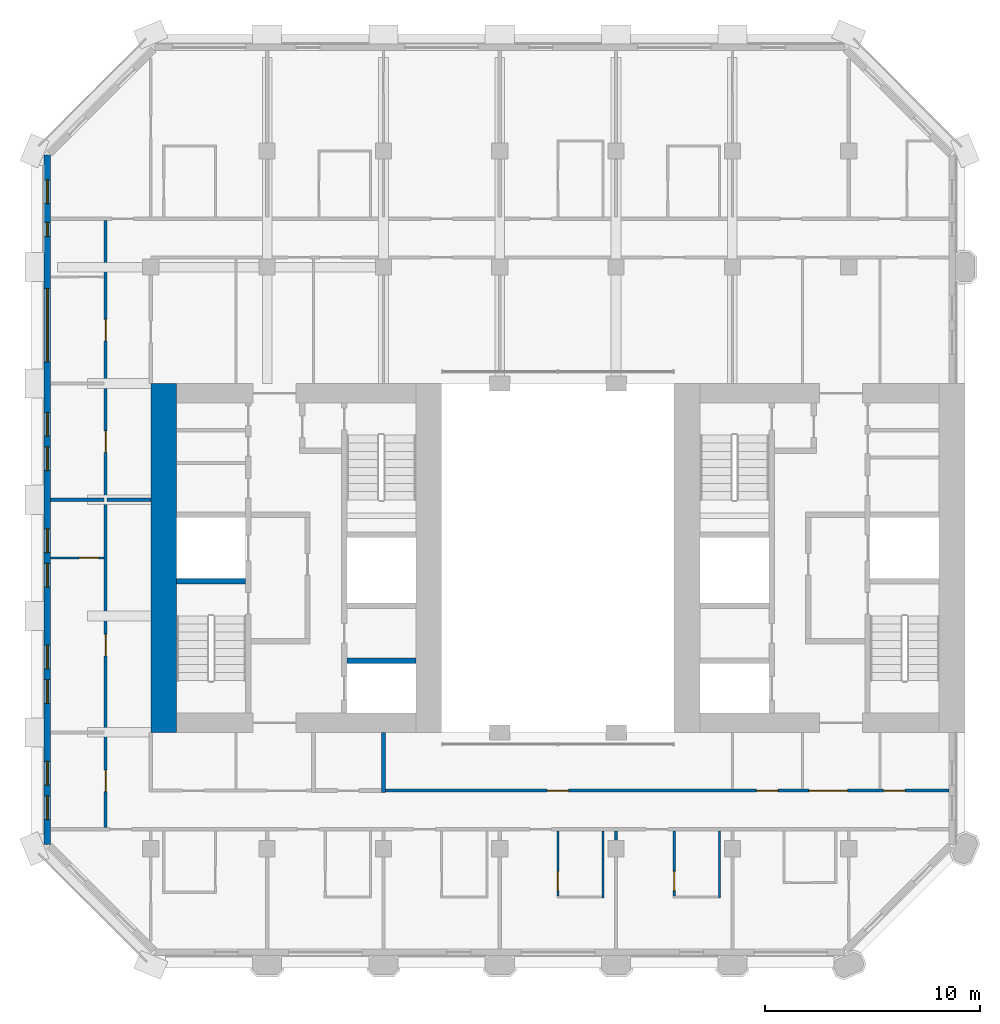
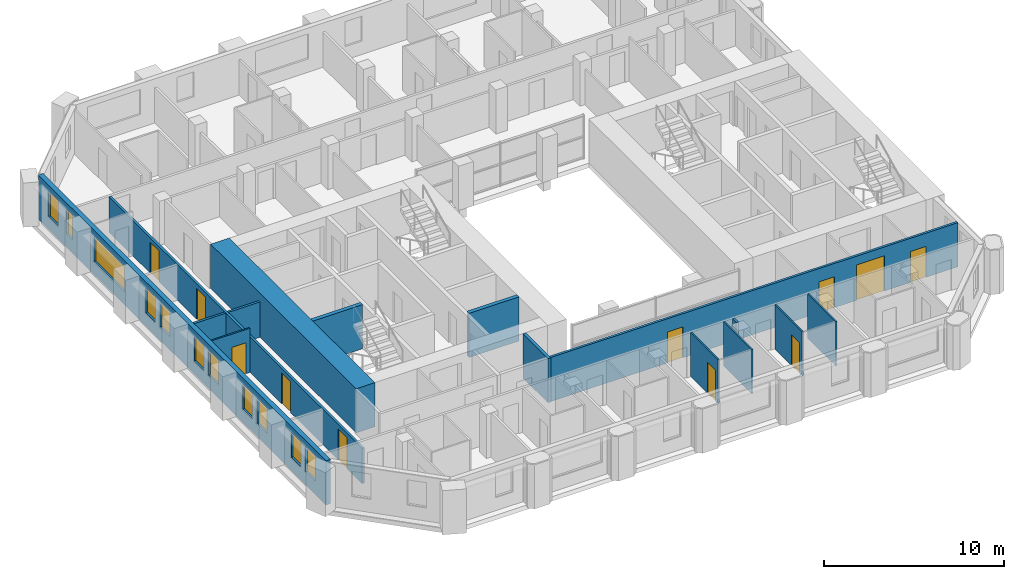
# One storey, part 7 of 13: 15 walls, 11 doors, 11 windows, 22 openings.
"""IFC4 building model written with IfcOpenShell, lengths in metres."""

from ifc_helpers import new_model, si_unit, direction, frame, frame_2d, origin, place, context, subcontext, project, spatial, rectangle, extrude, material, layer, layer_set, type_object, element, fill, save


model = new_model("IFC4")

# Units and contexts
model_context = context("Model", 3, precision=1e-05, world=origin(), true_north=direction((0.0, 1.0)))
body_context = subcontext(model_context, "Body", "Model", "MODEL_VIEW")
ifc_project = project(units=[si_unit("LENGTHUNIT", "METRE"), si_unit("AREAUNIT", "SQUARE_METRE"), si_unit("VOLUMEUNIT", "CUBIC_METRE"), si_unit("PLANEANGLEUNIT", "RADIAN"), si_unit("MASSUNIT", "GRAM", prefix="KILO")], contexts=[model_context])

# Site, building, storey
site_placement = place(None, origin())
site = spatial("IfcSite", under=ifc_project, at=site_placement, CompositionType="ELEMENT")
building_placement = place(site_placement, origin())
building = spatial("IfcBuilding", under=site, at=building_placement, Name="Tabaq Tower and Sports Hall", CompositionType="ELEMENT")
storey_placement = place(building_placement, frame((0.0, 0.0, 210.39990234375)))
storey = spatial("IfcBuildingStorey", under=building, at=storey_placement, Name="L52", CompositionType="ELEMENT", Elevation=210.39990234375)

# Walls
ifc_material_1 = material(Name="Concrete C50/60", Category="concrete")
ifc_layer_1 = layer(ifc_material_1, 1.199951171875)
ifc_layer_set_1 = layer_set([ifc_layer_1], Name="Core wall 1200 Concrete C50/60")
wall_type_1 = type_object("IfcWallType", Name="Core wall 1200 Concrete C50/60", PredefinedType="SOLIDWALL", material=ifc_layer_set_1)
wall_1_placement = place(storey_placement, frame((6.0, 16.199951171875, 0.0), z_axis=(0.0, 0.0, 1.0), x_axis=(0.0, 1.0, 0.0)))
element("IfcWall", 1, at=wall_1_placement, inside=storey, type_object=wall_type_1, Name="Core wall W L52", PredefinedType="SOLIDWALL", context=body_context, shape_type="SweptSolid", body=[
    extrude(rectangle(XDim=16.199951171875, YDim=1.199951171875, at=frame_2d((8.10009765625, 0.0))), origin(), (0.0, 0.0, 1.0), 3.0),
])
ifc_material_2 = material(Name="Blockwork", Category="masonry")
ifc_layer_2 = layer(ifc_material_2, 0.199951171875)
ifc_layer_set_2 = layer_set([ifc_layer_2], Name="Fire compartment wall 200 Blockwork")
wall_type_2 = type_object("IfcWallType", Name="Fire compartment wall 200 Blockwork", PredefinedType="PARTITIONING", material=ifc_layer_set_2)
wall_2_placement = place(storey_placement, frame((16.199951171875, 16.199951171875, 0.0), z_axis=(0.0, 0.0, 1.0), x_axis=(0.0, -1.0, 0.0)))
element("IfcWall", 2, at=wall_2_placement, inside=storey, type_object=wall_type_2, Name="Compartment wall L52", PredefinedType="PARTITIONING", context=body_context, shape_type="SweptSolid", body=[
    extrude(rectangle(XDim=2.800048828125, YDim=0.199951171875, at=frame_2d((1.39990234375, 0.0))), origin(), (0.0, 0.0, 1.0), 3.0),
])
ifc_material_3 = material(Name="Gypsum board on steel studs", Category="steel")
ifc_layer_3 = layer(ifc_material_3, 0.10009765625)
ifc_layer_set_3 = layer_set([ifc_layer_3], Name="Partition 100 Gypsum board")
wall_type_3 = type_object("IfcWallType", Name="Partition 100 Gypsum board", PredefinedType="PARTITIONING", material=ifc_layer_set_3)
wall_3_placement = place(storey_placement, frame((31.800048828125, 11.625, 0.0), z_axis=(0.0, 0.0, 1.0), x_axis=(0.0, -1.0, 0.0)))
element("IfcWall", 3, at=wall_3_placement, inside=storey, type_object=wall_type_3, Name="Partition wall L52", PredefinedType="PARTITIONING", context=body_context, shape_type="SweptSolid", body=[
    extrude(rectangle(XDim=3.125, YDim=0.10009765625, at=frame_2d((1.5625, 0.0))), origin(), (0.0, 0.0, 1.0), 3.0),
])

# Wall, opening, door
wall_4_placement = place(storey_placement, frame((29.699951171875, 8.60009765625, 0.0), z_axis=(0.0, 0.0, 1.0), x_axis=(0.0, 1.0, 0.0)))
wall_4 = element("IfcWall", 4, at=wall_4_placement, inside=storey, type_object=wall_type_3, Name="Partition wall L52", PredefinedType="PARTITIONING", context=body_context, shape_type="SweptSolid", body=[
    extrude(rectangle(XDim=3.02490234375, YDim=0.10009765625, at=frame_2d((1.512451171875, 0.0))), origin(), (0.0, 0.0, 1.0), 3.0),
])
opening_1_placement = place(wall_4_placement, frame((0.25, 0.0, 0.0)))
opening_1 = element("IfcOpeningElement", 5, at=opening_1_placement, cuts=wall_4, Name="Opening L52-016", PredefinedType="OPENING", context=body_context, shape_type="SweptSolid", body=[
    extrude(rectangle(XDim=0.89990234375, YDim=2.10009765625, at=frame_2d((0.449951171875, 1.050048828125))), frame((0.0, 0.050048828125, 0.0), z_axis=(0.0, -1.0, 0.0), x_axis=(1.0, 0.0, 0.0)), (0.0, 0.0, 1.0), 0.10009765625),
])
ifc_material_4 = material(Name="Timber leaf in steel frame", Category="steel")
door_type_1 = type_object("IfcDoorType", Name="Internal door 900 left hand", OperationType="SINGLE_SWING_LEFT", PredefinedType="DOOR", material=ifc_material_4)
door_1_placement = place(opening_1_placement, origin())
door_1 = element("IfcDoor", 6, at=door_1_placement, inside=storey, type_object=door_type_1, Name="Internal door L52-016", OperationType="SINGLE_SWING_LEFT", OverallHeight=2.10009765625, OverallWidth=0.89990234375, PredefinedType="DOOR", context=body_context, shape_type="SweptSolid", body=[
    extrude(rectangle(XDim=0.89990234375, YDim=2.10009765625, at=frame_2d((0.449951171875, 1.050048828125))), frame((0.0, 0.02490234375, 0.0), z_axis=(0.0, -1.0, 0.0), x_axis=(1.0, 0.0, 0.0)), (0.0, 0.0, 1.0), 0.050048828125),
])
fill(opening_1, door_1)

# Wall
wall_5_placement = place(storey_placement, frame((26.39990234375, 11.625, 0.0), z_axis=(0.0, 0.0, 1.0), x_axis=(0.0, -1.0, 0.0)))
element("IfcWall", 7, at=wall_5_placement, inside=storey, type_object=wall_type_3, Name="Partition wall L52", PredefinedType="PARTITIONING", context=body_context, shape_type="SweptSolid", body=[
    extrude(rectangle(XDim=3.125, YDim=0.10009765625, at=frame_2d((1.5625, 0.0))), origin(), (0.0, 0.0, 1.0), 3.0),
])

# Wall, opening, door
wall_6_placement = place(storey_placement, frame((24.300048828125, 8.60009765625, 0.0), z_axis=(0.0, 0.0, 1.0), x_axis=(0.0, 1.0, 0.0)))
wall_6 = element("IfcWall", 8, at=wall_6_placement, inside=storey, type_object=wall_type_3, Name="Partition wall L52", PredefinedType="PARTITIONING", context=body_context, shape_type="SweptSolid", body=[
    extrude(rectangle(XDim=3.02490234375, YDim=0.10009765625, at=frame_2d((1.512451171875, 0.0))), origin(), (0.0, 0.0, 1.0), 3.0),
])
opening_2_placement = place(wall_6_placement, frame((0.25, 0.0, 0.0)))
opening_2 = element("IfcOpeningElement", 9, at=opening_2_placement, cuts=wall_6, Name="Opening L52-017", PredefinedType="OPENING", context=body_context, shape_type="SweptSolid", body=[
    extrude(rectangle(XDim=0.89990234375, YDim=2.10009765625, at=frame_2d((0.449951171875, 1.050048828125))), frame((0.0, 0.050048828125, 0.0), z_axis=(0.0, -1.0, 0.0), x_axis=(1.0, 0.0, 0.0)), (0.0, 0.0, 1.0), 0.10009765625),
])
ifc_material_5 = material(Name="Timber leaf in steel frame", Category="steel")
door_type_2 = type_object("IfcDoorType", Name="Internal door 900 right hand", OperationType="SINGLE_SWING_RIGHT", PredefinedType="DOOR", material=ifc_material_5)
door_2_placement = place(opening_2_placement, origin())
door_2 = element("IfcDoor", 10, at=door_2_placement, inside=storey, type_object=door_type_2, Name="Internal door L52-017", OperationType="SINGLE_SWING_RIGHT", OverallHeight=2.10009765625, OverallWidth=0.89990234375, PredefinedType="DOOR", context=body_context, shape_type="SweptSolid", body=[
    extrude(rectangle(XDim=0.89990234375, YDim=2.10009765625, at=frame_2d((0.449951171875, 1.050048828125))), frame((0.0, 0.02490234375, 0.0), z_axis=(0.0, -1.0, 0.0), x_axis=(1.0, 0.0, 0.0)), (0.0, 0.0, 1.0), 0.050048828125),
])
fill(opening_2, door_2)

wall_7_placement = place(storey_placement, frame((3.22509765625, 24.300048828125, 0.0), z_axis=(0.0, 0.0, 1.0), x_axis=(-1.0, 0.0, 0.0)))
wall_7 = element("IfcWall", 11, at=wall_7_placement, inside=storey, type_object=wall_type_3, Name="Partition wall L52", PredefinedType="PARTITIONING", context=body_context, shape_type="SweptSolid", body=[
    extrude(rectangle(XDim=2.47412109375, YDim=0.10009765625, at=frame_2d((1.237060546875, 0.0))), origin(), (0.0, 0.0, 1.0), 3.0),
])
opening_3_placement = place(wall_7_placement, frame((0.25, 0.0, 0.0)))
opening_3 = element("IfcOpeningElement", 12, at=opening_3_placement, cuts=wall_7, Name="Opening L52-022", PredefinedType="OPENING", context=body_context, shape_type="SweptSolid", body=[
    extrude(rectangle(XDim=0.89990234375, YDim=2.10009765625, at=frame_2d((0.449951171875, 1.050048828125))), frame((0.0, 0.050048828125, 0.0), z_axis=(0.0, -1.0, 0.0), x_axis=(1.0, 0.0, 0.0)), (0.0, 0.0, 1.0), 0.10009765625),
])
door_3_placement = place(opening_3_placement, origin())
door_3 = element("IfcDoor", 13, at=door_3_placement, inside=storey, type_object=door_type_2, Name="Internal door L52-022", OperationType="SINGLE_SWING_RIGHT", OverallHeight=2.10009765625, OverallWidth=0.89990234375, PredefinedType="DOOR", context=body_context, shape_type="SweptSolid", body=[
    extrude(rectangle(XDim=0.89990234375, YDim=2.10009765625, at=frame_2d((0.449951171875, 1.050048828125))), frame((0.0, 0.02490234375, 0.0), z_axis=(0.0, -1.0, 0.0), x_axis=(1.0, 0.0, 0.0)), (0.0, 0.0, 1.0), 0.050048828125),
])
fill(opening_3, door_3)

# Walls
ifc_material_6 = material(Name="Blockwork", Category="masonry")
ifc_layer_4 = layer(ifc_material_6, 0.14990234375)
ifc_layer_set_4 = layer_set([ifc_layer_4], Name="Separating wall 150 Blockwork")
wall_type_4 = type_object("IfcWallType", Name="Separating wall 150 Blockwork", PredefinedType="PARTITIONING", material=ifc_layer_set_4)
wall_8_placement = place(storey_placement, frame((0.7509765625, 27.0, 0.0), z_axis=(0.0, 0.0, 1.0), x_axis=(1.0, 0.0, 0.0)))
element("IfcWall", 14, at=wall_8_placement, inside=storey, type_object=wall_type_4, Name="Separating wall L52", PredefinedType="PARTITIONING", context=body_context, shape_type="SweptSolid", body=[
    extrude(rectangle(XDim=2.47412109375, YDim=0.14990234375, at=frame_2d((1.237060546875, 0.0))), origin(), (0.0, 0.0, 1.0), 2.400146484375),
])
wall_9_placement = place(storey_placement, frame((3.375, 27.0, 0.0), z_axis=(0.0, 0.0, 1.0), x_axis=(1.0, 0.0, 0.0)))
element("IfcWall", 15, at=wall_9_placement, inside=storey, type_object=wall_type_4, Name="Separating wall L52", PredefinedType="PARTITIONING", context=body_context, shape_type="SweptSolid", body=[
    extrude(rectangle(XDim=2.02490234375, YDim=0.14990234375, at=frame_2d((1.012451171875, 0.0))), origin(), (0.0, 0.0, 1.0), 2.400146484375),
])
wall_10_placement = place(storey_placement, frame((27.0, 11.625, 0.0), z_axis=(0.0, 0.0, 1.0), x_axis=(0.0, -1.0, 0.0)))
element("IfcWall", 16, at=wall_10_placement, inside=storey, type_object=wall_type_4, Name="Separating wall L52", PredefinedType="PARTITIONING", context=body_context, shape_type="SweptSolid", body=[
    extrude(rectangle(XDim=0.429931640625, YDim=0.14990234375, at=frame_2d((0.21484375, 0.0))), origin(), (0.0, 0.0, 1.0), 3.0),
])

# Wall, openings, doors
wall_11_placement = place(storey_placement, frame((3.300048828125, 11.77490234375, 0.0), z_axis=(0.0, 0.0, 1.0), x_axis=(0.0, 1.0, 0.0)))
wall_11 = element("IfcWall", 17, at=wall_11_placement, inside=storey, type_object=wall_type_4, Name="Separating wall L52", PredefinedType="PARTITIONING", context=body_context, shape_type="SweptSolid", body=[
    extrude(rectangle(XDim=28.2001953125, YDim=0.14990234375, at=frame_2d((14.10009765625, 0.0))), origin(), (0.0, 0.0, 1.0), 2.400146484375),
])
opening_4_placement = place(wall_11_placement, frame((17.425048828125, 0.0, 0.0)))
opening_4 = element("IfcOpeningElement", 18, at=opening_4_placement, cuts=wall_11, Name="Opening L52-009", PredefinedType="OPENING", context=body_context, shape_type="SweptSolid", body=[
    extrude(rectangle(XDim=1.0, YDim=2.10009765625, at=frame_2d((0.5, 1.050048828125))), frame((0.0, 0.074951171875, 0.0), z_axis=(0.0, -1.0, 0.0), x_axis=(1.0, 0.0, 0.0)), (0.0, 0.0, 1.0), 0.14990234375),
])
opening_5_placement = place(wall_11_placement, frame((1.675048828125, 0.0, 0.0)))
opening_5 = element("IfcOpeningElement", 19, at=opening_5_placement, cuts=wall_11, Name="Opening L52-014", PredefinedType="OPENING", context=body_context, shape_type="SweptSolid", body=[
    extrude(rectangle(XDim=1.0, YDim=2.10009765625, at=frame_2d((0.5, 1.050048828125))), frame((0.0, 0.074951171875, 0.0), z_axis=(0.0, -1.0, 0.0), x_axis=(1.0, 0.0, 0.0)), (0.0, 0.0, 1.0), 0.14990234375),
])
opening_6_placement = place(wall_11_placement, frame((22.60009765625, 0.0, 0.0)))
opening_6 = element("IfcOpeningElement", 20, at=opening_6_placement, cuts=wall_11, Name="Opening L52-027", PredefinedType="OPENING", context=body_context, shape_type="SweptSolid", body=[
    extrude(rectangle(XDim=1.0, YDim=2.10009765625, at=frame_2d((0.5, 1.050048828125))), frame((0.0, 0.074951171875, 0.0), z_axis=(0.0, -1.0, 0.0), x_axis=(1.0, 0.0, 0.0)), (0.0, 0.0, 1.0), 0.14990234375),
])
opening_7_placement = place(wall_11_placement, frame((7.97509765625, 0.0, 0.0)))
opening_7 = element("IfcOpeningElement", 21, at=opening_7_placement, cuts=wall_11, Name="Opening L52-046", PredefinedType="OPENING", context=body_context, shape_type="SweptSolid", body=[
    extrude(rectangle(XDim=1.0, YDim=2.10009765625, at=frame_2d((0.5, 1.050048828125))), frame((0.0, 0.074951171875, 0.0), z_axis=(0.0, -1.0, 0.0), x_axis=(1.0, 0.0, 0.0)), (0.0, 0.0, 1.0), 0.14990234375),
])
ifc_material_7 = material(Name="Steel fire door", Category="steel")
door_type_3 = type_object("IfcDoorType", Name="Entrance door 1000 right hand", OperationType="SINGLE_SWING_RIGHT", PredefinedType="DOOR", material=ifc_material_7)
door_4_placement = place(opening_6_placement, origin())
door_4 = element("IfcDoor", 22, at=door_4_placement, inside=storey, type_object=door_type_3, Name="Entrance door L52-027", OperationType="SINGLE_SWING_RIGHT", OverallHeight=2.10009765625, OverallWidth=1.0, PredefinedType="DOOR", context=body_context, shape_type="SweptSolid", body=[
    extrude(rectangle(XDim=1.0, YDim=2.10009765625, at=frame_2d((0.5, 1.050048828125))), frame((0.0, 0.02490234375, 0.0), z_axis=(0.0, -1.0, 0.0), x_axis=(1.0, 0.0, 0.0)), (0.0, 0.0, 1.0), 0.050048828125),
])
fill(opening_6, door_4)
door_5_placement = place(opening_7_placement, origin())
door_5 = element("IfcDoor", 23, at=door_5_placement, inside=storey, type_object=door_type_3, Name="Entrance door L52-046", OperationType="SINGLE_SWING_RIGHT", OverallHeight=2.10009765625, OverallWidth=1.0, PredefinedType="DOOR", context=body_context, shape_type="SweptSolid", body=[
    extrude(rectangle(XDim=1.0, YDim=2.10009765625, at=frame_2d((0.5, 1.050048828125))), frame((0.0, 0.02490234375, 0.0), z_axis=(0.0, -1.0, 0.0), x_axis=(1.0, 0.0, 0.0)), (0.0, 0.0, 1.0), 0.050048828125),
])
fill(opening_7, door_5)
ifc_material_8 = material(Name="Timber leaf in steel frame", Category="steel")
door_type_4 = type_object("IfcDoorType", Name="Internal door 1000 left hand", OperationType="SINGLE_SWING_LEFT", PredefinedType="DOOR", material=ifc_material_8)
door_6_placement = place(opening_5_placement, origin())
door_6 = element("IfcDoor", 24, at=door_6_placement, inside=storey, type_object=door_type_4, Name="Internal door L52-014", OperationType="SINGLE_SWING_LEFT", OverallHeight=2.10009765625, OverallWidth=1.0, PredefinedType="DOOR", context=body_context, shape_type="SweptSolid", body=[
    extrude(rectangle(XDim=1.0, YDim=2.10009765625, at=frame_2d((0.5, 1.050048828125))), frame((0.0, 0.02490234375, 0.0), z_axis=(0.0, -1.0, 0.0), x_axis=(1.0, 0.0, 0.0)), (0.0, 0.0, 1.0), 0.050048828125),
])
fill(opening_5, door_6)
ifc_material_9 = material(Name="Timber leaf in steel frame", Category="steel")
door_type_5 = type_object("IfcDoorType", Name="Internal door 1000 right hand", OperationType="SINGLE_SWING_RIGHT", PredefinedType="DOOR", material=ifc_material_9)
door_7_placement = place(opening_4_placement, origin())
door_7 = element("IfcDoor", 25, at=door_7_placement, inside=storey, type_object=door_type_5, Name="Internal door L52-009", OperationType="SINGLE_SWING_RIGHT", OverallHeight=2.10009765625, OverallWidth=1.0, PredefinedType="DOOR", context=body_context, shape_type="SweptSolid", body=[
    extrude(rectangle(XDim=1.0, YDim=2.10009765625, at=frame_2d((0.5, 1.050048828125))), frame((0.0, 0.02490234375, 0.0), z_axis=(0.0, -1.0, 0.0), x_axis=(1.0, 0.0, 0.0)), (0.0, 0.0, 1.0), 0.050048828125),
])
fill(opening_4, door_7)

wall_12_placement = place(storey_placement, frame((16.300048828125, 13.5, 0.0), z_axis=(0.0, 0.0, 1.0), x_axis=(1.0, 0.0, 0.0)))
wall_12 = element("IfcWall", 26, at=wall_12_placement, inside=storey, type_object=wall_type_4, Name="Separating wall L52", PredefinedType="PARTITIONING", context=body_context, shape_type="SweptSolid", body=[
    extrude(rectangle(XDim=26.14892578125, YDim=0.14990234375, at=frame_2d((13.074462890625, 0.0))), origin(), (0.0, 0.0, 1.0), 3.0),
])
opening_8_placement = place(wall_12_placement, frame((7.5, 0.0, 0.0)))
opening_8 = element("IfcOpeningElement", 27, at=opening_8_placement, cuts=wall_12, Name="Opening L52-021", PredefinedType="OPENING", context=body_context, shape_type="SweptSolid", body=[
    extrude(rectangle(XDim=1.0, YDim=2.10009765625, at=frame_2d((0.5, 1.050048828125))), frame((0.0, 0.074951171875, 0.0), z_axis=(0.0, -1.0, 0.0), x_axis=(1.0, 0.0, 0.0)), (0.0, 0.0, 1.0), 0.14990234375),
])
opening_9_placement = place(wall_12_placement, frame((23.1201171875, 0.0, 0.0)))
opening_9 = element("IfcOpeningElement", 28, at=opening_9_placement, cuts=wall_12, Name="Opening L52-023", PredefinedType="OPENING", context=body_context, shape_type="SweptSolid", body=[
    extrude(rectangle(XDim=1.0, YDim=2.10009765625, at=frame_2d((0.5, 1.050048828125))), frame((0.0, 0.074951171875, 0.0), z_axis=(0.0, -1.0, 0.0), x_axis=(1.0, 0.0, 0.0)), (0.0, 0.0, 1.0), 0.14990234375),
])
opening_10_placement = place(wall_12_placement, frame((17.22509765625, 0.0, 0.0)))
opening_10 = element("IfcOpeningElement", 29, at=opening_10_placement, cuts=wall_12, Name="Opening L52-026", PredefinedType="OPENING", context=body_context, shape_type="SweptSolid", body=[
    extrude(rectangle(XDim=1.0, YDim=2.10009765625, at=frame_2d((0.5, 1.050048828125))), frame((0.0, 0.074951171875, 0.0), z_axis=(0.0, -1.0, 0.0), x_axis=(1.0, 0.0, 0.0)), (0.0, 0.0, 1.0), 0.14990234375),
])
opening_11_placement = place(wall_12_placement, frame((19.64990234375, 0.0, 0.0)))
opening_11 = element("IfcOpeningElement", 30, at=opening_11_placement, cuts=wall_12, Name="Opening L52-047", PredefinedType="OPENING", context=body_context, shape_type="SweptSolid", body=[
    extrude(rectangle(XDim=1.800048828125, YDim=2.39990234375, at=frame_2d((0.89990234375, 1.199951171875))), frame((0.0, 0.074951171875, 0.0), z_axis=(0.0, -1.0, 0.0), x_axis=(1.0, 0.0, 0.0)), (0.0, 0.0, 1.0), 0.14990234375),
])
door_8_placement = place(opening_9_placement, origin())
door_8 = element("IfcDoor", 31, at=door_8_placement, inside=storey, type_object=door_type_4, Name="Internal door L52-023", OperationType="SINGLE_SWING_LEFT", OverallHeight=2.10009765625, OverallWidth=1.0, PredefinedType="DOOR", context=body_context, shape_type="SweptSolid", body=[
    extrude(rectangle(XDim=1.0, YDim=2.10009765625, at=frame_2d((0.5, 1.050048828125))), frame((0.0, 0.02490234375, 0.0), z_axis=(0.0, -1.0, 0.0), x_axis=(1.0, 0.0, 0.0)), (0.0, 0.0, 1.0), 0.050048828125),
])
fill(opening_9, door_8)
door_9_placement = place(opening_8_placement, origin())
door_9 = element("IfcDoor", 32, at=door_9_placement, inside=storey, type_object=door_type_5, Name="Internal door L52-021", OperationType="SINGLE_SWING_RIGHT", OverallHeight=2.10009765625, OverallWidth=1.0, PredefinedType="DOOR", context=body_context, shape_type="SweptSolid", body=[
    extrude(rectangle(XDim=1.0, YDim=2.10009765625, at=frame_2d((0.5, 1.050048828125))), frame((0.0, 0.02490234375, 0.0), z_axis=(0.0, -1.0, 0.0), x_axis=(1.0, 0.0, 0.0)), (0.0, 0.0, 1.0), 0.050048828125),
])
fill(opening_8, door_9)
door_10_placement = place(opening_10_placement, origin())
door_10 = element("IfcDoor", 33, at=door_10_placement, inside=storey, type_object=door_type_5, Name="Internal door L52-026", OperationType="SINGLE_SWING_RIGHT", OverallHeight=2.10009765625, OverallWidth=1.0, PredefinedType="DOOR", context=body_context, shape_type="SweptSolid", body=[
    extrude(rectangle(XDim=1.0, YDim=2.10009765625, at=frame_2d((0.5, 1.050048828125))), frame((0.0, 0.02490234375, 0.0), z_axis=(0.0, -1.0, 0.0), x_axis=(1.0, 0.0, 0.0)), (0.0, 0.0, 1.0), 0.050048828125),
])
fill(opening_10, door_10)
ifc_material_10 = material(Name="Timber leaf in steel frame", Category="steel")
door_type_6 = type_object("IfcDoorType", Name="Internal door 1800", OperationType="DOUBLE_DOOR_SINGLE_SWING", PredefinedType="DOOR", material=ifc_material_10)
door_11_placement = place(opening_11_placement, origin())
door_11 = element("IfcDoor", 34, at=door_11_placement, inside=storey, type_object=door_type_6, Name="Internal door L52-047", OperationType="DOUBLE_DOOR_SINGLE_SWING", OverallHeight=2.39990234375, OverallWidth=1.800048828125, PredefinedType="DOOR", context=body_context, shape_type="SweptSolid", body=[
    extrude(rectangle(XDim=1.800048828125, YDim=2.39990234375, at=frame_2d((0.89990234375, 1.199951171875))), frame((0.0, 0.02490234375, 0.0), z_axis=(0.0, -1.0, 0.0), x_axis=(1.0, 0.0, 0.0)), (0.0, 0.0, 1.0), 0.050048828125),
])
fill(opening_11, door_11)

# Walls
ifc_material_11 = material(Name="Concrete C40/50", Category="concrete")
ifc_layer_5 = layer(ifc_material_11, 0.25)
ifc_layer_set_5 = layer_set([ifc_layer_5], Name="Shaft and stair wall 250 Concrete C40/50")
wall_type_5 = type_object("IfcWallType", Name="Shaft and stair wall 250 Concrete C40/50", PredefinedType="SOLIDWALL", material=ifc_layer_set_5)
for number, where, z_axis, x_axis, name in (
    (35, (6.60009765625, 23.22509765625, 0.0), (0.0, 0.0, 1.0), (1.0, 0.0, 0.0), "Stair enclosure wall W L52"),
    (36, (14.5, 19.52490234375, 0.0), (0.0, 0.0, 1.0), (1.0, 0.0, 0.0), "Shaft wall W L52"),
):
    element("IfcWall", number, at=place(storey_placement, frame(where, z_axis=z_axis, x_axis=x_axis)), inside=storey, type_object=wall_type_5, Name=name, PredefinedType="SOLIDWALL", context=body_context, shape_type="SweptSolid", body=[
        extrude(rectangle(XDim=3.199951171875, YDim=0.25, at=frame_2d((1.60009765625, 0.0))), origin(), (0.0, 0.0, 1.0), 3.0),
    ])

# Wall, openings, windows
ifc_material_12 = material(Name="White precast concrete C60/75", Category="concrete")
ifc_layer_6 = layer(ifc_material_12, 0.300048828125)
ifc_layer_set_6 = layer_set([ifc_layer_6], Name="White precast concrete C60/75 external wall 300")
wall_type_6 = type_object("IfcWallType", Name="White precast concrete C60/75 external wall 300", PredefinedType="SOLIDWALL", material=ifc_layer_set_6)
wall_13_placement = place(storey_placement, frame((0.60009765625, 43.013671875, 0.0), z_axis=(0.0, 0.0, 1.0), x_axis=(0.0, -1.0, 0.0)))
wall_13 = element("IfcWall", 37, at=wall_13_placement, inside=storey, type_object=wall_type_6, Name="External Wall L52 W", PredefinedType="SOLIDWALL", context=body_context, shape_type="SweptSolid", body=[
    extrude(rectangle(XDim=32.02734375, YDim=0.300048828125, at=frame_2d((16.013671875, 0.0))), origin(), (0.0, 0.0, 1.0), 3.0),
])
opening_12_placement = place(wall_13_placement, frame((1.16357421875, 0.0, 0.89990234375)))
opening_12 = element("IfcOpeningElement", 38, at=opening_12_placement, cuts=wall_13, Name="Opening W1B", PredefinedType="OPENING", context=body_context, shape_type="SweptSolid", body=[
    extrude(rectangle(XDim=1.10009765625, YDim=1.699951171875, at=frame_2d((0.550048828125, 0.85009765625))), frame((0.0, 0.16015625, 0.0), z_axis=(0.0, -1.0, 0.0), x_axis=(1.0, 0.0, 0.0)), (0.0, 0.0, 1.0), 0.320068359375),
])
opening_13_placement = place(wall_13_placement, frame((3.138671875, 0.0, 0.89990234375)))
opening_13 = element("IfcOpeningElement", 39, at=opening_13_placement, cuts=wall_13, Name="Opening W1C", PredefinedType="OPENING", context=body_context, shape_type="SweptSolid", body=[
    extrude(rectangle(XDim=0.64990234375, YDim=1.699951171875, at=frame_2d((0.324951171875, 0.85009765625))), frame((0.0, 0.16015625, 0.0), z_axis=(0.0, -1.0, 0.0), x_axis=(1.0, 0.0, 0.0)), (0.0, 0.0, 1.0), 0.320068359375),
])
opening_14_placement = place(wall_13_placement, frame((6.213623046875, 0.0, 0.89990234375)))
opening_14 = element("IfcOpeningElement", 40, at=opening_14_placement, cuts=wall_13, Name="Opening W1A", PredefinedType="OPENING", context=body_context, shape_type="SweptSolid", body=[
    extrude(rectangle(XDim=3.39990234375, YDim=1.699951171875, at=frame_2d((1.699951171875, 0.85009765625))), frame((0.0, 0.16015625, 0.0), z_axis=(0.0, -1.0, 0.0), x_axis=(1.0, 0.0, 0.0)), (0.0, 0.0, 1.0), 0.320068359375),
])
opening_15_placement = place(wall_13_placement, frame((11.963623046875, 0.0, 0.89990234375)))
opening_15 = element("IfcOpeningElement", 41, at=opening_15_placement, cuts=wall_13, Name="Opening W1B", PredefinedType="OPENING", context=body_context, shape_type="SweptSolid", body=[
    extrude(rectangle(XDim=1.10009765625, YDim=1.699951171875, at=frame_2d((0.550048828125, 0.85009765625))), frame((0.0, 0.16015625, 0.0), z_axis=(0.0, -1.0, 0.0), x_axis=(1.0, 0.0, 0.0)), (0.0, 0.0, 1.0), 0.320068359375),
])
opening_16_placement = place(wall_13_placement, frame((13.563720703125, 0.0, 0.89990234375)))
opening_16 = element("IfcOpeningElement", 42, at=opening_16_placement, cuts=wall_13, Name="Opening W1B", PredefinedType="OPENING", context=body_context, shape_type="SweptSolid", body=[
    extrude(rectangle(XDim=1.10009765625, YDim=1.699951171875, at=frame_2d((0.550048828125, 0.85009765625))), frame((0.0, 0.16015625, 0.0), z_axis=(0.0, -1.0, 0.0), x_axis=(1.0, 0.0, 0.0)), (0.0, 0.0, 1.0), 0.320068359375),
])
opening_17_placement = place(wall_13_placement, frame((17.363525390625, 0.0, 0.89990234375)))
opening_17 = element("IfcOpeningElement", 43, at=opening_17_placement, cuts=wall_13, Name="Opening W1B", PredefinedType="OPENING", context=body_context, shape_type="SweptSolid", body=[
    extrude(rectangle(XDim=1.10009765625, YDim=1.699951171875, at=frame_2d((0.550048828125, 0.85009765625))), frame((0.0, 0.16015625, 0.0), z_axis=(0.0, -1.0, 0.0), x_axis=(1.0, 0.0, 0.0)), (0.0, 0.0, 1.0), 0.320068359375),
])
opening_18_placement = place(wall_13_placement, frame((18.963623046875, 0.0, 0.89990234375)))
opening_18 = element("IfcOpeningElement", 44, at=opening_18_placement, cuts=wall_13, Name="Opening W1B", PredefinedType="OPENING", context=body_context, shape_type="SweptSolid", body=[
    extrude(rectangle(XDim=1.10009765625, YDim=1.699951171875, at=frame_2d((0.550048828125, 0.85009765625))), frame((0.0, 0.16015625, 0.0), z_axis=(0.0, -1.0, 0.0), x_axis=(1.0, 0.0, 0.0)), (0.0, 0.0, 1.0), 0.320068359375),
])
opening_19_placement = place(wall_13_placement, frame((22.763671875, 0.0, 0.89990234375)))
opening_19 = element("IfcOpeningElement", 45, at=opening_19_placement, cuts=wall_13, Name="Opening W1B", PredefinedType="OPENING", context=body_context, shape_type="SweptSolid", body=[
    extrude(rectangle(XDim=1.10009765625, YDim=1.699951171875, at=frame_2d((0.550048828125, 0.85009765625))), frame((0.0, 0.16015625, 0.0), z_axis=(0.0, -1.0, 0.0), x_axis=(1.0, 0.0, 0.0)), (0.0, 0.0, 1.0), 0.320068359375),
])
opening_20_placement = place(wall_13_placement, frame((24.363525390625, 0.0, 0.89990234375)))
opening_20 = element("IfcOpeningElement", 46, at=opening_20_placement, cuts=wall_13, Name="Opening W1B", PredefinedType="OPENING", context=body_context, shape_type="SweptSolid", body=[
    extrude(rectangle(XDim=1.10009765625, YDim=1.699951171875, at=frame_2d((0.550048828125, 0.85009765625))), frame((0.0, 0.16015625, 0.0), z_axis=(0.0, -1.0, 0.0), x_axis=(1.0, 0.0, 0.0)), (0.0, 0.0, 1.0), 0.320068359375),
])
opening_21_placement = place(wall_13_placement, frame((28.16357421875, 0.0, 0.89990234375)))
opening_21 = element("IfcOpeningElement", 47, at=opening_21_placement, cuts=wall_13, Name="Opening W1B", PredefinedType="OPENING", context=body_context, shape_type="SweptSolid", body=[
    extrude(rectangle(XDim=1.10009765625, YDim=1.699951171875, at=frame_2d((0.550048828125, 0.85009765625))), frame((0.0, 0.16015625, 0.0), z_axis=(0.0, -1.0, 0.0), x_axis=(1.0, 0.0, 0.0)), (0.0, 0.0, 1.0), 0.320068359375),
])
opening_22_placement = place(wall_13_placement, frame((29.763671875, 0.0, 0.89990234375)))
opening_22 = element("IfcOpeningElement", 48, at=opening_22_placement, cuts=wall_13, Name="Opening W1B", PredefinedType="OPENING", context=body_context, shape_type="SweptSolid", body=[
    extrude(rectangle(XDim=1.10009765625, YDim=1.699951171875, at=frame_2d((0.550048828125, 0.85009765625))), frame((0.0, 0.16015625, 0.0), z_axis=(0.0, -1.0, 0.0), x_axis=(1.0, 0.0, 0.0)), (0.0, 0.0, 1.0), 0.320068359375),
])
ifc_material_13 = material(Name="Aluminium framed clear glazing", Category="aluminium")
window_type_1 = type_object("IfcWindowType", Name="Window W1A", PartitioningType="SINGLE_PANEL", PredefinedType="WINDOW", material=ifc_material_13)
window_1_placement = place(opening_14_placement, origin())
window_1 = element("IfcWindow", 49, at=window_1_placement, inside=storey, type_object=window_type_1, Name="Window W1A L52", OverallHeight=1.699951171875, OverallWidth=3.39990234375, PartitioningType="SINGLE_PANEL", PredefinedType="WINDOW", context=body_context, shape_type="SweptSolid", body=[
    extrude(rectangle(XDim=3.39990234375, YDim=1.699951171875, at=frame_2d((1.699951171875, 0.85009765625))), frame((0.0, 0.030029296875, 0.0), z_axis=(0.0, -1.0, 0.0), x_axis=(1.0, 0.0, 0.0)), (0.0, 0.0, 1.0), 0.06005859375),
])
fill(opening_14, window_1)
ifc_material_14 = material(Name="Aluminium framed clear glazing", Category="aluminium")
window_type_2 = type_object("IfcWindowType", Name="Window W1B", PartitioningType="SINGLE_PANEL", PredefinedType="WINDOW", material=ifc_material_14)
window_2_placement = place(opening_12_placement, origin())
window_2 = element("IfcWindow", 50, at=window_2_placement, inside=storey, type_object=window_type_2, Name="Window W1B L52", OverallHeight=1.699951171875, OverallWidth=1.10009765625, PartitioningType="SINGLE_PANEL", PredefinedType="WINDOW", context=body_context, shape_type="SweptSolid", body=[
    extrude(rectangle(XDim=1.10009765625, YDim=1.699951171875, at=frame_2d((0.550048828125, 0.85009765625))), frame((0.0, 0.030029296875, 0.0), z_axis=(0.0, -1.0, 0.0), x_axis=(1.0, 0.0, 0.0)), (0.0, 0.0, 1.0), 0.06005859375),
])
fill(opening_12, window_2)
window_3_placement = place(opening_15_placement, origin())
window_3 = element("IfcWindow", 51, at=window_3_placement, inside=storey, type_object=window_type_2, Name="Window W1B L52", OverallHeight=1.699951171875, OverallWidth=1.10009765625, PartitioningType="SINGLE_PANEL", PredefinedType="WINDOW", context=body_context, shape_type="SweptSolid", body=[
    extrude(rectangle(XDim=1.10009765625, YDim=1.699951171875, at=frame_2d((0.550048828125, 0.85009765625))), frame((0.0, 0.030029296875, 0.0), z_axis=(0.0, -1.0, 0.0), x_axis=(1.0, 0.0, 0.0)), (0.0, 0.0, 1.0), 0.06005859375),
])
fill(opening_15, window_3)
window_4_placement = place(opening_16_placement, origin())
window_4 = element("IfcWindow", 52, at=window_4_placement, inside=storey, type_object=window_type_2, Name="Window W1B L52", OverallHeight=1.699951171875, OverallWidth=1.10009765625, PartitioningType="SINGLE_PANEL", PredefinedType="WINDOW", context=body_context, shape_type="SweptSolid", body=[
    extrude(rectangle(XDim=1.10009765625, YDim=1.699951171875, at=frame_2d((0.550048828125, 0.85009765625))), frame((0.0, 0.030029296875, 0.0), z_axis=(0.0, -1.0, 0.0), x_axis=(1.0, 0.0, 0.0)), (0.0, 0.0, 1.0), 0.06005859375),
])
fill(opening_16, window_4)
window_5_placement = place(opening_17_placement, origin())
window_5 = element("IfcWindow", 53, at=window_5_placement, inside=storey, type_object=window_type_2, Name="Window W1B L52", OverallHeight=1.699951171875, OverallWidth=1.10009765625, PartitioningType="SINGLE_PANEL", PredefinedType="WINDOW", context=body_context, shape_type="SweptSolid", body=[
    extrude(rectangle(XDim=1.10009765625, YDim=1.699951171875, at=frame_2d((0.550048828125, 0.85009765625))), frame((0.0, 0.030029296875, 0.0), z_axis=(0.0, -1.0, 0.0), x_axis=(1.0, 0.0, 0.0)), (0.0, 0.0, 1.0), 0.06005859375),
])
fill(opening_17, window_5)
window_6_placement = place(opening_18_placement, origin())
window_6 = element("IfcWindow", 54, at=window_6_placement, inside=storey, type_object=window_type_2, Name="Window W1B L52", OverallHeight=1.699951171875, OverallWidth=1.10009765625, PartitioningType="SINGLE_PANEL", PredefinedType="WINDOW", context=body_context, shape_type="SweptSolid", body=[
    extrude(rectangle(XDim=1.10009765625, YDim=1.699951171875, at=frame_2d((0.550048828125, 0.85009765625))), frame((0.0, 0.030029296875, 0.0), z_axis=(0.0, -1.0, 0.0), x_axis=(1.0, 0.0, 0.0)), (0.0, 0.0, 1.0), 0.06005859375),
])
fill(opening_18, window_6)
window_7_placement = place(opening_19_placement, origin())
window_7 = element("IfcWindow", 55, at=window_7_placement, inside=storey, type_object=window_type_2, Name="Window W1B L52", OverallHeight=1.699951171875, OverallWidth=1.10009765625, PartitioningType="SINGLE_PANEL", PredefinedType="WINDOW", context=body_context, shape_type="SweptSolid", body=[
    extrude(rectangle(XDim=1.10009765625, YDim=1.699951171875, at=frame_2d((0.550048828125, 0.85009765625))), frame((0.0, 0.030029296875, 0.0), z_axis=(0.0, -1.0, 0.0), x_axis=(1.0, 0.0, 0.0)), (0.0, 0.0, 1.0), 0.06005859375),
])
fill(opening_19, window_7)
window_8_placement = place(opening_20_placement, origin())
window_8 = element("IfcWindow", 56, at=window_8_placement, inside=storey, type_object=window_type_2, Name="Window W1B L52", OverallHeight=1.699951171875, OverallWidth=1.10009765625, PartitioningType="SINGLE_PANEL", PredefinedType="WINDOW", context=body_context, shape_type="SweptSolid", body=[
    extrude(rectangle(XDim=1.10009765625, YDim=1.699951171875, at=frame_2d((0.550048828125, 0.85009765625))), frame((0.0, 0.030029296875, 0.0), z_axis=(0.0, -1.0, 0.0), x_axis=(1.0, 0.0, 0.0)), (0.0, 0.0, 1.0), 0.06005859375),
])
fill(opening_20, window_8)
window_9_placement = place(opening_21_placement, origin())
window_9 = element("IfcWindow", 57, at=window_9_placement, inside=storey, type_object=window_type_2, Name="Window W1B L52", OverallHeight=1.699951171875, OverallWidth=1.10009765625, PartitioningType="SINGLE_PANEL", PredefinedType="WINDOW", context=body_context, shape_type="SweptSolid", body=[
    extrude(rectangle(XDim=1.10009765625, YDim=1.699951171875, at=frame_2d((0.550048828125, 0.85009765625))), frame((0.0, 0.030029296875, 0.0), z_axis=(0.0, -1.0, 0.0), x_axis=(1.0, 0.0, 0.0)), (0.0, 0.0, 1.0), 0.06005859375),
])
fill(opening_21, window_9)
window_10_placement = place(opening_22_placement, origin())
window_10 = element("IfcWindow", 58, at=window_10_placement, inside=storey, type_object=window_type_2, Name="Window W1B L52", OverallHeight=1.699951171875, OverallWidth=1.10009765625, PartitioningType="SINGLE_PANEL", PredefinedType="WINDOW", context=body_context, shape_type="SweptSolid", body=[
    extrude(rectangle(XDim=1.10009765625, YDim=1.699951171875, at=frame_2d((0.550048828125, 0.85009765625))), frame((0.0, 0.030029296875, 0.0), z_axis=(0.0, -1.0, 0.0), x_axis=(1.0, 0.0, 0.0)), (0.0, 0.0, 1.0), 0.06005859375),
])
fill(opening_22, window_10)
ifc_material_15 = material(Name="Aluminium framed clear glazing", Category="aluminium")
window_type_3 = type_object("IfcWindowType", Name="Window W1C", PartitioningType="SINGLE_PANEL", PredefinedType="WINDOW", material=ifc_material_15)
window_11_placement = place(opening_13_placement, origin())
window_11 = element("IfcWindow", 59, at=window_11_placement, inside=storey, type_object=window_type_3, Name="Window W1C L52", OverallHeight=1.699951171875, OverallWidth=0.64990234375, PartitioningType="SINGLE_PANEL", PredefinedType="WINDOW", context=body_context, shape_type="SweptSolid", body=[
    extrude(rectangle(XDim=0.64990234375, YDim=1.699951171875, at=frame_2d((0.324951171875, 0.85009765625))), frame((0.0, 0.030029296875, 0.0), z_axis=(0.0, -1.0, 0.0), x_axis=(1.0, 0.0, 0.0)), (0.0, 0.0, 1.0), 0.06005859375),
])
fill(opening_13, window_11)

save(model, "model.ifc")
